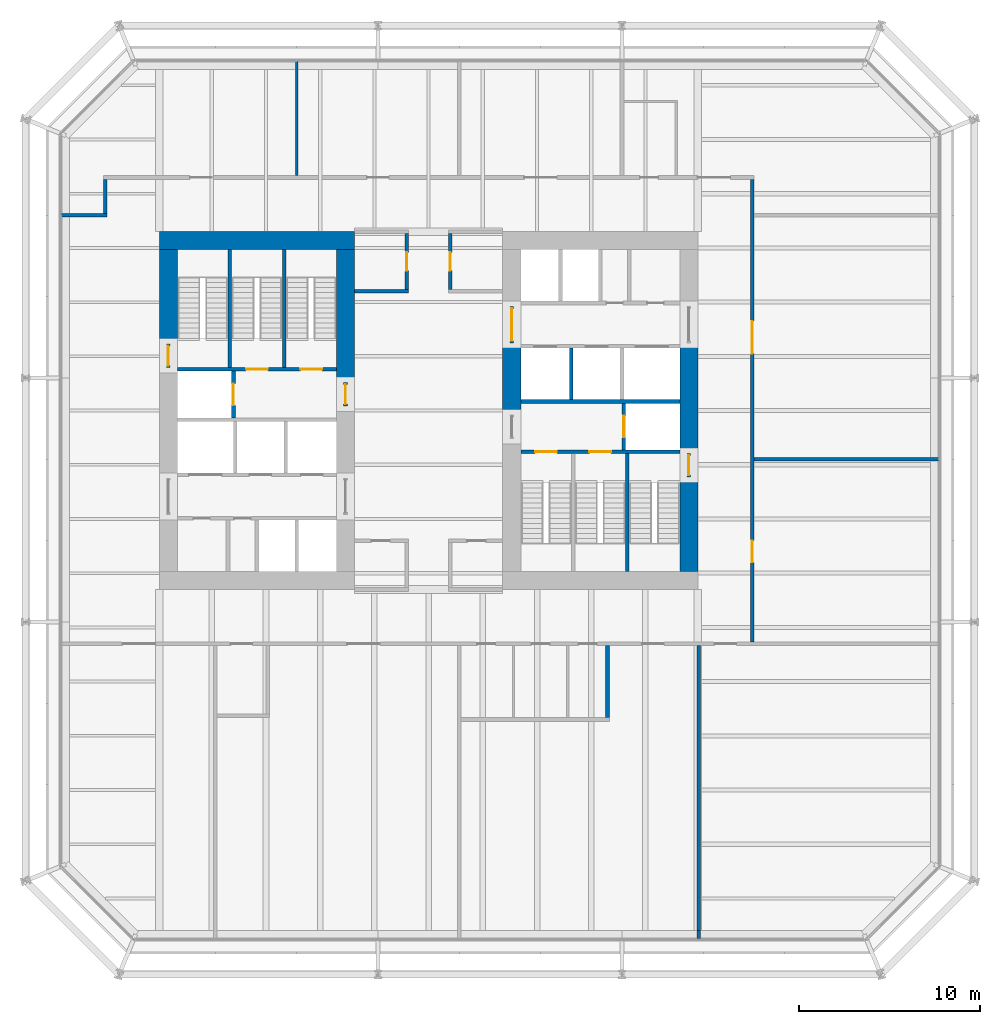
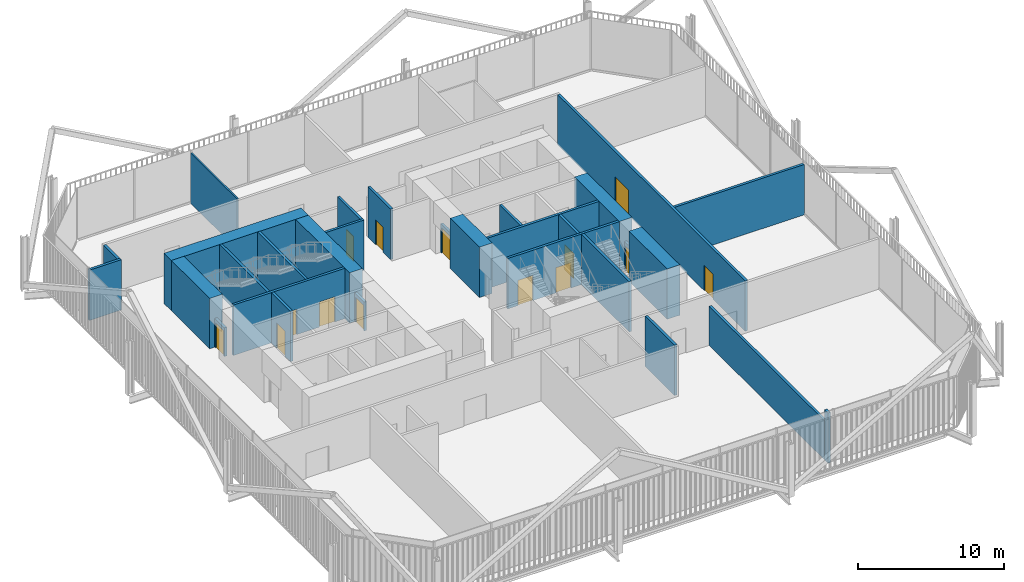
# One storey, part 18 of 21: 30 walls, 14 doors, 14 openings.
"""IFC4 building model written with IfcOpenShell, lengths in metres."""

from ifc_helpers import new_model, si_unit, direction, frame, frame_2d, origin, place, context, subcontext, project, spatial, rectangle, extrude, material, layer, layer_set, type_object, element, fill, save


model = new_model("IFC4")

# Units and contexts
model_context = context("Model", 3, precision=1e-05, world=origin(), true_north=direction((0.0, 1.0)))
body_context = subcontext(model_context, "Body", "Model", "MODEL_VIEW")
ifc_project = project(units=[si_unit("LENGTHUNIT", "METRE"), si_unit("AREAUNIT", "SQUARE_METRE"), si_unit("VOLUMEUNIT", "CUBIC_METRE"), si_unit("PLANEANGLEUNIT", "RADIAN"), si_unit("MASSUNIT", "GRAM", prefix="KILO")], contexts=[model_context])

# Site, building, storey
site_placement = place(None, origin())
site = spatial("IfcSite", under=ifc_project, at=site_placement, CompositionType="ELEMENT")
building_placement = place(site_placement, origin())
building = spatial("IfcBuilding", under=site, at=building_placement, Name="Millrace Tower", CompositionType="ELEMENT")
storey_placement = place(building_placement, frame((0.0, 0.0, 82.0)))
storey = spatial("IfcBuildingStorey", under=building, at=storey_placement, Name="L18", CompositionType="ELEMENT", Elevation=82.0)

# Walls
ifc_material_1 = material(Name="Concrete C80", Category="concrete")
ifc_layer_1 = layer(ifc_material_1, 1.0)
ifc_layer_set_1 = layer_set([ifc_layer_1], Name="Concrete C80")
wall_type_1 = type_object("IfcWallType", Name="Core wall 1000 Concrete C80", PredefinedType="SHEAR", material=ifc_layer_set_1)
wall_1_placement = place(storey_placement, frame((-14.89990234375, 9.39990234375, 0.0), z_axis=(0.0, 0.0, 1.0), x_axis=(1.0, 0.0, 0.0)))
element("IfcWall", 1, at=wall_1_placement, inside=storey, type_object=wall_type_1, Name="Core wall W L18", PredefinedType="SHEAR", context=body_context, shape_type="SweptSolid", body=[
    extrude(rectangle(XDim=10.7998046875, YDim=1.0, at=frame_2d((5.39990234375, 0.0))), origin(), (0.0, 0.0, 1.0), 4.199951171875),
])
wall_2_placement = place(storey_placement, frame((-14.39990234375, 3.679931640625, 0.0), z_axis=(0.0, 0.0, 1.0), x_axis=(0.0, 1.0, 0.0)))
element("IfcWall", 2, at=wall_2_placement, inside=storey, type_object=wall_type_1, Name="Core wall W L18", PredefinedType="SHEAR", context=body_context, shape_type="SweptSolid", body=[
    extrude(rectangle(XDim=5.219970703125, YDim=1.0, at=frame_2d((2.60986328125, 0.0))), origin(), (0.0, 0.0, 1.0), 4.199951171875),
])
wall_3_placement = place(storey_placement, frame((-4.60009765625, 1.550048828125, 0.0), z_axis=(0.0, 0.0, 1.0), x_axis=(0.0, 1.0, 0.0)))
element("IfcWall", 3, at=wall_3_placement, inside=storey, type_object=wall_type_1, Name="Core wall W L18", PredefinedType="SHEAR", context=body_context, shape_type="SweptSolid", body=[
    extrude(rectangle(XDim=7.349853515625, YDim=1.0, at=frame_2d((3.6748046875, 0.0))), origin(), (0.0, 0.0, 1.0), 4.199951171875),
])
wall_4_placement = place(storey_placement, frame((14.39990234375, 3.75, 0.0), z_axis=(0.0, 0.0, 1.0), x_axis=(0.0, -1.0, 0.0)))
element("IfcWall", 4, at=wall_4_placement, inside=storey, type_object=wall_type_1, Name="Core wall E L18", PredefinedType="SHEAR", context=body_context, shape_type="SweptSolid", body=[
    extrude(rectangle(XDim=6.1298828125, YDim=1.0, at=frame_2d((3.06494140625, 0.0))), origin(), (0.0, 0.0, 1.0), 4.199951171875),
])
wall_5_placement = place(storey_placement, frame((14.39990234375, -3.679931640625, 0.0), z_axis=(0.0, 0.0, 1.0), x_axis=(0.0, -1.0, 0.0)))
element("IfcWall", 5, at=wall_5_placement, inside=storey, type_object=wall_type_1, Name="Core wall E L18", PredefinedType="SHEAR", context=body_context, shape_type="SweptSolid", body=[
    extrude(rectangle(XDim=5.219970703125, YDim=1.0, at=frame_2d((2.60986328125, 0.0))), origin(), (0.0, 0.0, 1.0), 4.199951171875),
])
wall_6_placement = place(storey_placement, frame((4.60009765625, 3.75, 0.0), z_axis=(0.0, 0.0, 1.0), x_axis=(0.0, -1.0, 0.0)))
element("IfcWall", 6, at=wall_6_placement, inside=storey, type_object=wall_type_1, Name="Core wall E L18", PredefinedType="SHEAR", context=body_context, shape_type="SweptSolid", body=[
    extrude(rectangle(XDim=4.0, YDim=1.0, at=frame_2d((2.0, 0.0))), origin(), (0.0, 0.0, 1.0), 4.199951171875),
])
ifc_material_2 = material(Name="Masonry partition, fire-rated", Category="masonry")
ifc_layer_2 = layer(ifc_material_2, 0.199951171875)
ifc_layer_set_2 = layer_set([ifc_layer_2], Name="Masonry partition, fire-rated")
wall_type_2 = type_object("IfcWallType", Name="Corridor wall 200", PredefinedType="PARTITIONING", material=ifc_layer_set_2)
wall_7_placement = place(storey_placement, frame((18.0, -2.699951171875, 0.0), z_axis=(0.0, 0.0, 1.0), x_axis=(1.0, 0.0, 0.0)))
element("IfcWall", 7, at=wall_7_placement, inside=storey, type_object=wall_type_2, Name="Corridor wall L18", PredefinedType="PARTITIONING", context=body_context, shape_type="SweptSolid", body=[
    extrude(rectangle(XDim=10.22998046875, YDim=0.199951171875, at=frame_2d((5.114990234375, 0.0))), origin(), (0.0, 0.0, 1.0), 4.199951171875),
])
wall_8_placement = place(storey_placement, frame((-4.10009765625, 6.60009765625, 0.0), z_axis=(0.0, 0.0, 1.0), x_axis=(1.0, 0.0, 0.0)))
element("IfcWall", 8, at=wall_8_placement, inside=storey, type_object=wall_type_2, Name="Corridor wall L18", PredefinedType="PARTITIONING", context=body_context, shape_type="SweptSolid", body=[
    extrude(rectangle(XDim=3.0, YDim=0.199951171875, at=frame_2d((1.5, 0.0))), origin(), (0.0, 0.0, 1.0), 4.199951171875),
])
wall_9_placement = place(storey_placement, frame((-20.330078125, 10.800048828125, 0.0), z_axis=(0.0, 0.0, 1.0), x_axis=(1.0, 0.0, 0.0)))
element("IfcWall", 9, at=wall_9_placement, inside=storey, type_object=wall_type_2, Name="Corridor wall L18", PredefinedType="PARTITIONING", context=body_context, shape_type="SweptSolid", body=[
    extrude(rectangle(XDim=2.530029296875, YDim=0.199951171875, at=frame_2d((1.26513671875, 0.0))), origin(), (0.0, 0.0, 1.0), 4.199951171875),
])

# Wall, openings, doors
wall_10_placement = place(storey_placement, frame((17.89990234375, -12.800048828125, 0.0), z_axis=(0.0, 0.0, 1.0), x_axis=(0.0, 1.0, 0.0)))
wall_10 = element("IfcWall", 10, at=wall_10_placement, inside=storey, type_object=wall_type_2, Name="Corridor wall L18", PredefinedType="PARTITIONING", context=body_context, shape_type="SweptSolid", body=[
    extrude(rectangle(XDim=25.60009765625, YDim=0.199951171875, at=frame_2d((12.800048828125, 0.0))), origin(), (0.0, 0.0, 1.0), 4.199951171875),
])
opening_1_placement = place(wall_10_placement, frame((4.39990234375, 0.0, 0.0)))
opening_1 = element("IfcOpeningElement", 11, at=opening_1_placement, cuts=wall_10, Name="Opening 18-P015", PredefinedType="OPENING", context=body_context, shape_type="SweptSolid", body=[
    extrude(rectangle(XDim=1.199951171875, YDim=2.10009765625, at=frame_2d((0.60009765625, 1.050048828125))), frame((0.0, 0.10986328125, 0.0), z_axis=(0.0, -1.0, 0.0), x_axis=(1.0, 0.0, 0.0)), (0.0, 0.0, 1.0), 0.219970703125),
])
opening_2_placement = place(wall_10_placement, frame((15.949951171875, 0.0, 0.0)))
opening_2 = element("IfcOpeningElement", 12, at=opening_2_placement, cuts=wall_10, Name="Opening 18-P016", PredefinedType="OPENING", context=body_context, shape_type="SweptSolid", body=[
    extrude(rectangle(XDim=1.800048828125, YDim=2.10009765625, at=frame_2d((0.89990234375, 1.050048828125))), frame((0.0, 0.10986328125, 0.0), z_axis=(0.0, -1.0, 0.0), x_axis=(1.0, 0.0, 0.0)), (0.0, 0.0, 1.0), 0.219970703125),
])
ifc_material_3 = material(Name="Steel door set, fire-rated", Category="steel")
door_type_1 = type_object("IfcDoorType", Name="Data hall door 1200 x 2100", OperationType="SINGLE_SWING_LEFT", PredefinedType="DOOR", material=ifc_material_3)
door_1_placement = place(opening_1_placement, frame((1.199951171875, 0.0, 0.0), z_axis=(0.0, 0.0, 1.0), x_axis=(-1.0, 0.0, 0.0)))
door_1 = element("IfcDoor", 13, at=door_1_placement, inside=storey, type_object=door_type_1, Name="Door 18-P015", OperationType="SINGLE_SWING_RIGHT", OverallHeight=2.10009765625, OverallWidth=1.199951171875, PredefinedType="DOOR", context=body_context, shape_type="SweptSolid", body=[
    extrude(rectangle(XDim=1.199951171875, YDim=2.10009765625, at=frame_2d((0.60009765625, 1.050048828125))), frame((0.0, 0.02490234375, 0.0), z_axis=(0.0, -1.0, 0.0), x_axis=(1.0, 0.0, 0.0)), (0.0, 0.0, 1.0), 0.050048828125),
])
fill(opening_1, door_1)
ifc_material_4 = material(Name="Steel door set, fire-rated", Category="steel")
door_type_2 = type_object("IfcDoorType", Name="Data hall door 1800 x 2100", OperationType="DOUBLE_DOOR_SINGLE_SWING", PredefinedType="DOOR", material=ifc_material_4)
door_2_placement = place(opening_2_placement, frame((1.800048828125, 0.0, 0.0), z_axis=(0.0, 0.0, 1.0), x_axis=(-1.0, 0.0, 0.0)))
door_2 = element("IfcDoor", 14, at=door_2_placement, inside=storey, type_object=door_type_2, Name="Door 18-P016", OperationType="DOUBLE_DOOR_SINGLE_SWING", OverallHeight=2.10009765625, OverallWidth=1.800048828125, PredefinedType="DOOR", context=body_context, shape_type="SweptSolid", body=[
    extrude(rectangle(XDim=1.800048828125, YDim=2.10009765625, at=frame_2d((0.89990234375, 1.050048828125))), frame((0.0, 0.02490234375, 0.0), z_axis=(0.0, -1.0, 0.0), x_axis=(1.0, 0.0, 0.0)), (0.0, 0.0, 1.0), 0.050048828125),
])
fill(opening_2, door_2)

# Walls
wall_11_placement = place(storey_placement, frame((14.93994140625, -29.22998046875, 0.0), z_axis=(0.0, 0.0, 1.0), x_axis=(0.0, 1.0, 0.0)))
element("IfcWall", 15, at=wall_11_placement, inside=storey, type_object=wall_type_2, Name="Corridor wall L18", PredefinedType="PARTITIONING", context=body_context, shape_type="SweptSolid", body=[
    extrude(rectangle(XDim=0.448974609375, YDim=0.199951171875, at=frame_2d((0.224609375, 0.0))), origin(), (0.0, 0.0, 1.0), 4.199951171875),
])
wall_12_placement = place(storey_placement, frame((14.93994140625, -28.781005859375, 0.0), z_axis=(0.0, 0.0, 1.0), x_axis=(0.0, 1.0, 0.0)))
element("IfcWall", 16, at=wall_12_placement, inside=storey, type_object=wall_type_2, Name="Corridor wall L18", PredefinedType="PARTITIONING", context=body_context, shape_type="SweptSolid", body=[
    extrude(rectangle(XDim=15.781005859375, YDim=0.199951171875, at=frame_2d((7.890625, 0.0))), origin(), (0.0, 0.0, 1.0), 3.252685546875),
])
wall_13_placement = place(storey_placement, frame((9.89990234375, -17.0, 0.0), z_axis=(0.0, 0.0, 1.0), x_axis=(0.0, 1.0, 0.0)))
element("IfcWall", 17, at=wall_13_placement, inside=storey, type_object=wall_type_2, Name="Corridor wall L18", PredefinedType="PARTITIONING", context=body_context, shape_type="SweptSolid", body=[
    extrude(rectangle(XDim=4.0, YDim=0.199951171875, at=frame_2d((2.0, 0.0))), origin(), (0.0, 0.0, 1.0), 4.199951171875),
])

# Wall, opening, door
wall_14_placement = place(storey_placement, frame((1.199951171875, 6.699951171875, 0.0), z_axis=(0.0, 0.0, 1.0), x_axis=(0.0, 1.0, 0.0)))
wall_14 = element("IfcWall", 18, at=wall_14_placement, inside=storey, type_object=wall_type_2, Name="Corridor wall L18", PredefinedType="PARTITIONING", context=body_context, shape_type="SweptSolid", body=[
    extrude(rectangle(XDim=3.10009765625, YDim=0.199951171875, at=frame_2d((1.550048828125, 0.0))), origin(), (0.0, 0.0, 1.0), 4.199951171875),
])
opening_3_placement = place(wall_14_placement, frame((1.050048828125, 0.0, 0.0)))
opening_3 = element("IfcOpeningElement", 19, at=opening_3_placement, cuts=wall_14, Name="Opening 18-P002", PredefinedType="OPENING", context=body_context, shape_type="SweptSolid", body=[
    extrude(rectangle(XDim=1.0, YDim=2.10009765625, at=frame_2d((0.5, 1.050048828125))), frame((0.0, 0.10986328125, 0.0), z_axis=(0.0, -1.0, 0.0), x_axis=(1.0, 0.0, 0.0)), (0.0, 0.0, 1.0), 0.219970703125),
])
ifc_material_5 = material(Name="Steel door set, fire-rated", Category="steel")
door_type_3 = type_object("IfcDoorType", Name="Corridor door 1000 x 2100", OperationType="SINGLE_SWING_LEFT", PredefinedType="DOOR", material=ifc_material_5)
door_3_placement = place(opening_3_placement, frame((1.0, 0.0, 0.0), z_axis=(0.0, 0.0, 1.0), x_axis=(-1.0, 0.0, 0.0)))
door_3 = element("IfcDoor", 20, at=door_3_placement, inside=storey, type_object=door_type_3, Name="Door 18-P002", OperationType="SINGLE_SWING_LEFT", OverallHeight=2.10009765625, OverallWidth=1.0, PredefinedType="DOOR", context=body_context, shape_type="SweptSolid", body=[
    extrude(rectangle(XDim=1.0, YDim=2.10009765625, at=frame_2d((0.5, 1.050048828125))), frame((0.0, 0.02490234375, 0.0), z_axis=(0.0, -1.0, 0.0), x_axis=(1.0, 0.0, 0.0)), (0.0, 0.0, 1.0), 0.050048828125),
])
fill(opening_3, door_3)

wall_15_placement = place(storey_placement, frame((-1.199951171875, 6.699951171875, 0.0), z_axis=(0.0, 0.0, 1.0), x_axis=(0.0, 1.0, 0.0)))
wall_15 = element("IfcWall", 21, at=wall_15_placement, inside=storey, type_object=wall_type_2, Name="Corridor wall L18", PredefinedType="PARTITIONING", context=body_context, shape_type="SweptSolid", body=[
    extrude(rectangle(XDim=3.10009765625, YDim=0.199951171875, at=frame_2d((1.550048828125, 0.0))), origin(), (0.0, 0.0, 1.0), 4.199951171875),
])
opening_4_placement = place(wall_15_placement, frame((1.050048828125, 0.0, 0.0)))
opening_4 = element("IfcOpeningElement", 22, at=opening_4_placement, cuts=wall_15, Name="Opening 18-P001", PredefinedType="OPENING", context=body_context, shape_type="SweptSolid", body=[
    extrude(rectangle(XDim=1.0, YDim=2.10009765625, at=frame_2d((0.5, 1.050048828125))), frame((0.0, 0.10986328125, 0.0), z_axis=(0.0, -1.0, 0.0), x_axis=(1.0, 0.0, 0.0)), (0.0, 0.0, 1.0), 0.219970703125),
])
door_4_placement = place(opening_4_placement, origin())
door_4 = element("IfcDoor", 23, at=door_4_placement, inside=storey, type_object=door_type_3, Name="Door 18-P001", OperationType="SINGLE_SWING_RIGHT", OverallHeight=2.10009765625, OverallWidth=1.0, PredefinedType="DOOR", context=body_context, shape_type="SweptSolid", body=[
    extrude(rectangle(XDim=1.0, YDim=2.10009765625, at=frame_2d((0.5, 1.050048828125))), frame((0.0, 0.02490234375, 0.0), z_axis=(0.0, -1.0, 0.0), x_axis=(1.0, 0.0, 0.0)), (0.0, 0.0, 1.0), 0.050048828125),
])
fill(opening_4, door_4)

# Wall
wall_16_placement = place(storey_placement, frame((-17.89990234375, 10.89990234375, 0.0), z_axis=(0.0, 0.0, 1.0), x_axis=(0.0, 1.0, 0.0)))
element("IfcWall", 24, at=wall_16_placement, inside=storey, type_object=wall_type_2, Name="Corridor wall L18", PredefinedType="PARTITIONING", context=body_context, shape_type="SweptSolid", body=[
    extrude(rectangle(XDim=1.900146484375, YDim=0.199951171875, at=frame_2d((0.9501953125, 0.0))), origin(), (0.0, 0.0, 1.0), 4.199951171875),
])

# Wall, opening, door
ifc_material_6 = material(Name="Masonry partition, fire-rated", Category="masonry")
ifc_layer_3 = layer(ifc_material_6, 0.199951171875)
ifc_layer_set_3 = layer_set([ifc_layer_3], Name="Masonry partition, fire-rated")
wall_type_3 = type_object("IfcWallType", Name="Lift shaft wall 200", PredefinedType="PARTITIONING", material=ifc_layer_set_3)
wall_17_placement = place(storey_placement, frame((-10.800048828125, -0.39990234375, 0.0), z_axis=(0.0, 0.0, 1.0), x_axis=(0.0, 1.0, 0.0)))
wall_17 = element("IfcWall", 25, at=wall_17_placement, inside=storey, type_object=wall_type_3, Name="Lift shaft wall W L18", PredefinedType="PARTITIONING", context=body_context, shape_type="SweptSolid", body=[
    extrude(rectangle(XDim=2.579833984375, YDim=0.199951171875, at=frame_2d((1.2900390625, 0.0))), origin(), (0.0, 0.0, 1.0), 4.199951171875),
])
opening_5_placement = place(wall_17_placement, frame((0.68994140625, 0.0, 0.0)))
opening_5 = element("IfcOpeningElement", 26, at=opening_5_placement, cuts=wall_17, Name="Opening 18-LD08", PredefinedType="OPENING", context=body_context, shape_type="SweptSolid", body=[
    extrude(rectangle(XDim=1.199951171875, YDim=2.10009765625, at=frame_2d((0.60009765625, 1.050048828125))), frame((0.0, 0.10986328125, 0.0), z_axis=(0.0, -1.0, 0.0), x_axis=(1.0, 0.0, 0.0)), (0.0, 0.0, 1.0), 0.219970703125),
])
ifc_material_7 = material(Name="Stainless steel, fire-rated", Category="steel")
door_type_4 = type_object("IfcDoorType", Name="Lift landing door 1200 x 2100", OperationType="DOUBLE_DOOR_SLIDING", PredefinedType="DOOR", material=ifc_material_7)
door_5_placement = place(opening_5_placement, origin())
door_5 = element("IfcDoor", 27, at=door_5_placement, inside=storey, type_object=door_type_4, Name="Lift landing door LF8 L18", OperationType="DOUBLE_DOOR_SLIDING", OverallHeight=2.10009765625, OverallWidth=1.199951171875, PredefinedType="DOOR", context=body_context, shape_type="SweptSolid", body=[
    extrude(rectangle(XDim=1.199951171875, YDim=2.10009765625, at=frame_2d((0.60009765625, 1.050048828125))), frame((0.0, 0.02490234375, 0.0), z_axis=(0.0, -1.0, 0.0), x_axis=(1.0, 0.0, 0.0)), (0.0, 0.0, 1.0), 0.050048828125),
])
fill(opening_5, door_5)

# Wall
wall_18_placement = place(storey_placement, frame((13.89990234375, 0.5, 0.0), z_axis=(0.0, 0.0, 1.0), x_axis=(-1.0, 0.0, 0.0)))
element("IfcWall", 28, at=wall_18_placement, inside=storey, type_object=wall_type_3, Name="Lift shaft wall E L18", PredefinedType="PARTITIONING", context=body_context, shape_type="SweptSolid", body=[
    extrude(rectangle(XDim=8.7998046875, YDim=0.199951171875, at=frame_2d((4.39990234375, 0.0))), origin(), (0.0, 0.0, 1.0), 4.199951171875),
])

# Wall, opening, door
wall_19_placement = place(storey_placement, frame((10.800048828125, 0.39990234375, 0.0), z_axis=(0.0, 0.0, 1.0), x_axis=(0.0, -1.0, 0.0)))
wall_19 = element("IfcWall", 29, at=wall_19_placement, inside=storey, type_object=wall_type_3, Name="Lift shaft wall E L18", PredefinedType="PARTITIONING", context=body_context, shape_type="SweptSolid", body=[
    extrude(rectangle(XDim=2.579833984375, YDim=0.199951171875, at=frame_2d((1.2900390625, 0.0))), origin(), (0.0, 0.0, 1.0), 4.199951171875),
])
opening_6_placement = place(wall_19_placement, frame((0.68994140625, 0.0, 0.0)))
opening_6 = element("IfcOpeningElement", 30, at=opening_6_placement, cuts=wall_19, Name="Opening 18-LD16", PredefinedType="OPENING", context=body_context, shape_type="SweptSolid", body=[
    extrude(rectangle(XDim=1.199951171875, YDim=2.10009765625, at=frame_2d((0.60009765625, 1.050048828125))), frame((0.0, 0.10986328125, 0.0), z_axis=(0.0, -1.0, 0.0), x_axis=(1.0, 0.0, 0.0)), (0.0, 0.0, 1.0), 0.219970703125),
])
door_6_placement = place(opening_6_placement, origin())
door_6 = element("IfcDoor", 31, at=door_6_placement, inside=storey, type_object=door_type_4, Name="Lift landing door LF16 L18", OperationType="DOUBLE_DOOR_SLIDING", OverallHeight=2.10009765625, OverallWidth=1.199951171875, PredefinedType="DOOR", context=body_context, shape_type="SweptSolid", body=[
    extrude(rectangle(XDim=1.199951171875, YDim=2.10009765625, at=frame_2d((0.60009765625, 1.050048828125))), frame((0.0, 0.02490234375, 0.0), z_axis=(0.0, -1.0, 0.0), x_axis=(1.0, 0.0, 0.0)), (0.0, 0.0, 1.0), 0.050048828125),
])
fill(opening_6, door_6)

# Wall
wall_20_placement = place(storey_placement, frame((7.89990234375, 3.449951171875, 0.0), z_axis=(0.0, 0.0, 1.0), x_axis=(0.0, -1.0, 0.0)))
element("IfcWall", 32, at=wall_20_placement, inside=storey, type_object=wall_type_3, Name="Lift shaft wall E L18", PredefinedType="PARTITIONING", context=body_context, shape_type="SweptSolid", body=[
    extrude(rectangle(XDim=2.849853515625, YDim=0.199951171875, at=frame_2d((1.4248046875, 0.0))), origin(), (0.0, 0.0, 1.0), 4.199951171875),
])

# Wall, opening, door
ifc_material_8 = material(Name="Masonry partition, fire-rated", Category="masonry")
ifc_layer_4 = layer(ifc_material_8, 0.199951171875)
ifc_layer_set_4 = layer_set([ifc_layer_4], Name="Masonry partition, fire-rated")
wall_type_4 = type_object("IfcWallType", Name="Lobby wall 200", PredefinedType="PARTITIONING", material=ifc_layer_set_4)
wall_21_placement = place(storey_placement, frame((-4.60009765625, 0.25, 0.0), z_axis=(0.0, 0.0, 1.0), x_axis=(0.0, 1.0, 0.0)))
wall_21 = element("IfcWall", 33, at=wall_21_placement, inside=storey, type_object=wall_type_4, Name="Lobby wall W L18", PredefinedType="PARTITIONING", context=body_context, shape_type="SweptSolid", body=[
    extrude(rectangle(XDim=1.300048828125, YDim=0.199951171875, at=frame_2d((0.64990234375, 0.0))), origin(), (0.0, 0.0, 1.0), 2.39990234375),
])
opening_7_placement = place(wall_21_placement, frame((0.10009765625, 0.0, 0.0)))
opening_7 = element("IfcOpeningElement", 34, at=opening_7_placement, cuts=wall_21, Name="Opening 18-C004", PredefinedType="OPENING", context=body_context, shape_type="SweptSolid", body=[
    extrude(rectangle(XDim=1.10009765625, YDim=2.10009765625, at=frame_2d((0.550048828125, 1.050048828125))), frame((0.0, 0.10986328125, 0.0), z_axis=(0.0, -1.0, 0.0), x_axis=(1.0, 0.0, 0.0)), (0.0, 0.0, 1.0), 0.219970703125),
])
ifc_material_9 = material(Name="Steel door, fire-rated", Category="steel")
door_type_5 = type_object("IfcDoorType", Name="Lobby door 1100 x 2100", OperationType="SINGLE_SWING_LEFT", PredefinedType="DOOR", material=ifc_material_9)
door_7_placement = place(opening_7_placement, origin())
door_7 = element("IfcDoor", 35, at=door_7_placement, inside=storey, type_object=door_type_5, Name="Lobby door 18-C004", OperationType="SINGLE_SWING_RIGHT", OverallHeight=2.10009765625, OverallWidth=1.10009765625, PredefinedType="DOOR", context=body_context, shape_type="SweptSolid", body=[
    extrude(rectangle(XDim=1.10009765625, YDim=2.10009765625, at=frame_2d((0.550048828125, 1.050048828125))), frame((0.0, 0.02490234375, 0.0), z_axis=(0.0, -1.0, 0.0), x_axis=(1.0, 0.0, 0.0)), (0.0, 0.0, 1.0), 0.050048828125),
])
fill(opening_7, door_7)

wall_22_placement = place(storey_placement, frame((4.60009765625, 5.75, 0.0), z_axis=(0.0, 0.0, 1.0), x_axis=(0.0, -1.0, 0.0)))
wall_22 = element("IfcWall", 36, at=wall_22_placement, inside=storey, type_object=wall_type_4, Name="Lobby wall E L18", PredefinedType="PARTITIONING", context=body_context, shape_type="SweptSolid", body=[
    extrude(rectangle(XDim=2.0, YDim=0.199951171875, at=frame_2d((1.0, 0.0))), origin(), (0.0, 0.0, 1.0), 2.39990234375),
])
opening_8_placement = place(wall_22_placement, frame((0.10009765625, 0.0, 0.0)))
opening_8 = element("IfcOpeningElement", 37, at=opening_8_placement, cuts=wall_22, Name="Opening 18-C011", PredefinedType="OPENING", context=body_context, shape_type="SweptSolid", body=[
    extrude(rectangle(XDim=1.800048828125, YDim=2.10009765625, at=frame_2d((0.89990234375, 1.050048828125))), frame((0.0, 0.10986328125, 0.0), z_axis=(0.0, -1.0, 0.0), x_axis=(1.0, 0.0, 0.0)), (0.0, 0.0, 1.0), 0.219970703125),
])
ifc_material_10 = material(Name="Steel door, fire-rated", Category="steel")
door_type_6 = type_object("IfcDoorType", Name="Lobby door 1800 x 2100", OperationType="DOUBLE_DOOR_SINGLE_SWING", PredefinedType="DOOR", material=ifc_material_10)
door_8_placement = place(opening_8_placement, origin())
door_8 = element("IfcDoor", 38, at=door_8_placement, inside=storey, type_object=door_type_6, Name="Lobby door 18-C011", OperationType="DOUBLE_DOOR_SINGLE_SWING", OverallHeight=2.10009765625, OverallWidth=1.800048828125, PredefinedType="DOOR", context=body_context, shape_type="SweptSolid", body=[
    extrude(rectangle(XDim=1.800048828125, YDim=2.10009765625, at=frame_2d((0.89990234375, 1.050048828125))), frame((0.0, 0.02490234375, 0.0), z_axis=(0.0, -1.0, 0.0), x_axis=(1.0, 0.0, 0.0)), (0.0, 0.0, 1.0), 0.050048828125),
])
fill(opening_8, door_8)

# Wall
ifc_material_11 = material(Name="Gypsum board partition")
ifc_layer_5 = layer(ifc_material_11, 0.1201171875)
ifc_layer_set_5 = layer_set([ifc_layer_5], Name="Gypsum board partition")
wall_type_5 = type_object("IfcWallType", Name="Partition wall 120", PredefinedType="PARTITIONING", material=ifc_layer_set_5)
wall_23_placement = place(storey_placement, frame((-7.300048828125, 13.0, 0.0), z_axis=(0.0, 0.0, 1.0), x_axis=(0.0, 1.0, 0.0)))
element("IfcWall", 39, at=wall_23_placement, inside=storey, type_object=wall_type_5, Name="Partition wall L18", PredefinedType="PARTITIONING", context=body_context, shape_type="SweptSolid", body=[
    extrude(rectangle(XDim=6.330078125, YDim=0.1201171875, at=frame_2d((3.1650390625, 0.0))), origin(), (0.0, 0.0, 1.0), 4.199951171875),
])

# Wall, opening, door
ifc_material_12 = material(Name="Concrete C40", Category="concrete")
ifc_layer_6 = layer(ifc_material_12, 0.199951171875)
ifc_layer_set_6 = layer_set([ifc_layer_6], Name="Concrete C40")
wall_type_6 = type_object("IfcWallType", Name="Stair enclosure wall 200 Concrete C40", PredefinedType="SHEAR", material=ifc_layer_set_6)
wall_24_placement = place(storey_placement, frame((-14.39990234375, 2.3798828125, 0.0), z_axis=(0.0, 0.0, 1.0), x_axis=(0.0, 1.0, 0.0)))
wall_24 = element("IfcWall", 40, at=wall_24_placement, inside=storey, type_object=wall_type_6, Name="Stair enclosure wall W L18", PredefinedType="SHEAR", context=body_context, shape_type="SweptSolid", body=[
    extrude(rectangle(XDim=1.300048828125, YDim=0.199951171875, at=frame_2d((0.64990234375, 0.0))), origin(), (0.0, 0.0, 1.0), 2.39990234375),
])
opening_9_placement = place(wall_24_placement, frame((0.10009765625, 0.0, 0.0)))
opening_9 = element("IfcOpeningElement", 41, at=opening_9_placement, cuts=wall_24, Name="Opening 18-C002", PredefinedType="OPENING", context=body_context, shape_type="SweptSolid", body=[
    extrude(rectangle(XDim=1.10009765625, YDim=2.10009765625, at=frame_2d((0.550048828125, 1.050048828125))), frame((0.0, 0.10986328125, 0.0), z_axis=(0.0, -1.0, 0.0), x_axis=(1.0, 0.0, 0.0)), (0.0, 0.0, 1.0), 0.219970703125),
])
ifc_material_13 = material(Name="Steel door, fire-rated", Category="steel")
door_type_7 = type_object("IfcDoorType", Name="Stair door 1100 x 2100", OperationType="SINGLE_SWING_LEFT", PredefinedType="DOOR", material=ifc_material_13)
door_9_placement = place(opening_9_placement, origin())
door_9 = element("IfcDoor", 42, at=door_9_placement, inside=storey, type_object=door_type_7, Name="Stair door 18-C002", OperationType="SINGLE_SWING_RIGHT", OverallHeight=2.10009765625, OverallWidth=1.10009765625, PredefinedType="DOOR", context=body_context, shape_type="SweptSolid", body=[
    extrude(rectangle(XDim=1.10009765625, YDim=2.10009765625, at=frame_2d((0.550048828125, 1.050048828125))), frame((0.0, 0.02490234375, 0.0), z_axis=(0.0, -1.0, 0.0), x_axis=(1.0, 0.0, 0.0)), (0.0, 0.0, 1.0), 0.050048828125),
])
fill(opening_9, door_9)

# Wall, openings, doors
wall_25_placement = place(storey_placement, frame((-13.89990234375, 2.280029296875, 0.0), z_axis=(0.0, 0.0, 1.0), x_axis=(1.0, 0.0, 0.0)))
wall_25 = element("IfcWall", 43, at=wall_25_placement, inside=storey, type_object=wall_type_6, Name="Stair enclosure wall W L18", PredefinedType="SHEAR", context=body_context, shape_type="SweptSolid", body=[
    extrude(rectangle(XDim=8.7998046875, YDim=0.199951171875, at=frame_2d((4.39990234375, 0.0))), origin(), (0.0, 0.0, 1.0), 4.199951171875),
])
opening_10_placement = place(wall_25_placement, frame((3.800048828125, 0.0, 0.0)))
opening_10 = element("IfcOpeningElement", 44, at=opening_10_placement, cuts=wall_25, Name="Opening 18-C007", PredefinedType="OPENING", context=body_context, shape_type="SweptSolid", body=[
    extrude(rectangle(XDim=1.199951171875, YDim=2.10009765625, at=frame_2d((0.60009765625, 1.050048828125))), frame((0.0, 0.10986328125, 0.0), z_axis=(0.0, -1.0, 0.0), x_axis=(1.0, 0.0, 0.0)), (0.0, 0.0, 1.0), 0.219970703125),
])
opening_11_placement = place(wall_25_placement, frame((6.800048828125, 0.0, 0.0)))
opening_11 = element("IfcOpeningElement", 45, at=opening_11_placement, cuts=wall_25, Name="Opening 18-C008", PredefinedType="OPENING", context=body_context, shape_type="SweptSolid", body=[
    extrude(rectangle(XDim=1.199951171875, YDim=2.10009765625, at=frame_2d((0.60009765625, 1.050048828125))), frame((0.0, 0.10986328125, 0.0), z_axis=(0.0, -1.0, 0.0), x_axis=(1.0, 0.0, 0.0)), (0.0, 0.0, 1.0), 0.219970703125),
])
ifc_material_14 = material(Name="Steel door, fire-rated", Category="steel")
door_type_8 = type_object("IfcDoorType", Name="Stair door 1200 x 2100", OperationType="SINGLE_SWING_LEFT", PredefinedType="DOOR", material=ifc_material_14)
door_10_placement = place(opening_10_placement, frame((1.199951171875, 0.0, 0.0), z_axis=(0.0, 0.0, 1.0), x_axis=(-1.0, 0.0, 0.0)))
door_10 = element("IfcDoor", 46, at=door_10_placement, inside=storey, type_object=door_type_8, Name="Stair door 18-C007", OperationType="SINGLE_SWING_LEFT", OverallHeight=2.10009765625, OverallWidth=1.199951171875, PredefinedType="DOOR", context=body_context, shape_type="SweptSolid", body=[
    extrude(rectangle(XDim=1.199951171875, YDim=2.10009765625, at=frame_2d((0.60009765625, 1.050048828125))), frame((0.0, 0.02490234375, 0.0), z_axis=(0.0, -1.0, 0.0), x_axis=(1.0, 0.0, 0.0)), (0.0, 0.0, 1.0), 0.050048828125),
])
fill(opening_10, door_10)
door_11_placement = place(opening_11_placement, frame((1.199951171875, 0.0, 0.0), z_axis=(0.0, 0.0, 1.0), x_axis=(-1.0, 0.0, 0.0)))
door_11 = element("IfcDoor", 47, at=door_11_placement, inside=storey, type_object=door_type_8, Name="Stair door 18-C008", OperationType="SINGLE_SWING_LEFT", OverallHeight=2.10009765625, OverallWidth=1.199951171875, PredefinedType="DOOR", context=body_context, shape_type="SweptSolid", body=[
    extrude(rectangle(XDim=1.199951171875, YDim=2.10009765625, at=frame_2d((0.60009765625, 1.050048828125))), frame((0.0, 0.02490234375, 0.0), z_axis=(0.0, -1.0, 0.0), x_axis=(1.0, 0.0, 0.0)), (0.0, 0.0, 1.0), 0.050048828125),
])
fill(opening_11, door_11)

# Walls
for number, where, z_axis, x_axis, name in (
    (48, (-11.0, 2.3798828125, 0.0), (0.0, 0.0, 1.0), (0.0, 1.0, 0.0), "Stair enclosure wall W L18"),
    (49, (-8.0, 2.3798828125, 0.0), (0.0, 0.0, 1.0), (0.0, 1.0, 0.0), "Stair enclosure wall W L18"),
):
    element("IfcWall", number, at=place(storey_placement, frame(where, z_axis=z_axis, x_axis=x_axis)), inside=storey, type_object=wall_type_6, Name=name, PredefinedType="SHEAR", context=body_context, shape_type="SweptSolid", body=[
        extrude(rectangle(XDim=6.52001953125, YDim=0.199951171875, at=frame_2d((3.260009765625, 0.0))), origin(), (0.0, 0.0, 1.0), 4.199951171875),
    ])

# Wall, opening, door
wall_26_placement = place(storey_placement, frame((14.39990234375, -2.3798828125, 0.0), z_axis=(0.0, 0.0, 1.0), x_axis=(0.0, -1.0, 0.0)))
wall_26 = element("IfcWall", 50, at=wall_26_placement, inside=storey, type_object=wall_type_6, Name="Stair enclosure wall E L18", PredefinedType="SHEAR", context=body_context, shape_type="SweptSolid", body=[
    extrude(rectangle(XDim=1.300048828125, YDim=0.199951171875, at=frame_2d((0.64990234375, 0.0))), origin(), (0.0, 0.0, 1.0), 2.39990234375),
])
opening_12_placement = place(wall_26_placement, frame((0.10009765625, 0.0, 0.0)))
opening_12 = element("IfcOpeningElement", 51, at=opening_12_placement, cuts=wall_26, Name="Opening 18-C010", PredefinedType="OPENING", context=body_context, shape_type="SweptSolid", body=[
    extrude(rectangle(XDim=1.10009765625, YDim=2.10009765625, at=frame_2d((0.550048828125, 1.050048828125))), frame((0.0, 0.10986328125, 0.0), z_axis=(0.0, -1.0, 0.0), x_axis=(1.0, 0.0, 0.0)), (0.0, 0.0, 1.0), 0.219970703125),
])
door_12_placement = place(opening_12_placement, origin())
door_12 = element("IfcDoor", 52, at=door_12_placement, inside=storey, type_object=door_type_7, Name="Stair door 18-C010", OperationType="SINGLE_SWING_RIGHT", OverallHeight=2.10009765625, OverallWidth=1.10009765625, PredefinedType="DOOR", context=body_context, shape_type="SweptSolid", body=[
    extrude(rectangle(XDim=1.10009765625, YDim=2.10009765625, at=frame_2d((0.550048828125, 1.050048828125))), frame((0.0, 0.02490234375, 0.0), z_axis=(0.0, -1.0, 0.0), x_axis=(1.0, 0.0, 0.0)), (0.0, 0.0, 1.0), 0.050048828125),
])
fill(opening_12, door_12)

# Wall, openings, doors
wall_27_placement = place(storey_placement, frame((13.89990234375, -2.280029296875, 0.0), z_axis=(0.0, 0.0, 1.0), x_axis=(-1.0, 0.0, 0.0)))
wall_27 = element("IfcWall", 53, at=wall_27_placement, inside=storey, type_object=wall_type_6, Name="Stair enclosure wall E L18", PredefinedType="SHEAR", context=body_context, shape_type="SweptSolid", body=[
    extrude(rectangle(XDim=8.7998046875, YDim=0.199951171875, at=frame_2d((4.39990234375, 0.0))), origin(), (0.0, 0.0, 1.0), 4.199951171875),
])
opening_13_placement = place(wall_27_placement, frame((3.800048828125, 0.0, 0.0)))
opening_13 = element("IfcOpeningElement", 54, at=opening_13_placement, cuts=wall_27, Name="Opening 18-C015", PredefinedType="OPENING", context=body_context, shape_type="SweptSolid", body=[
    extrude(rectangle(XDim=1.199951171875, YDim=2.10009765625, at=frame_2d((0.60009765625, 1.050048828125))), frame((0.0, 0.10986328125, 0.0), z_axis=(0.0, -1.0, 0.0), x_axis=(1.0, 0.0, 0.0)), (0.0, 0.0, 1.0), 0.219970703125),
])
opening_14_placement = place(wall_27_placement, frame((6.800048828125, 0.0, 0.0)))
opening_14 = element("IfcOpeningElement", 55, at=opening_14_placement, cuts=wall_27, Name="Opening 18-C016", PredefinedType="OPENING", context=body_context, shape_type="SweptSolid", body=[
    extrude(rectangle(XDim=1.199951171875, YDim=2.10009765625, at=frame_2d((0.60009765625, 1.050048828125))), frame((0.0, 0.10986328125, 0.0), z_axis=(0.0, -1.0, 0.0), x_axis=(1.0, 0.0, 0.0)), (0.0, 0.0, 1.0), 0.219970703125),
])
door_13_placement = place(opening_13_placement, frame((1.199951171875, 0.0, 0.0), z_axis=(0.0, 0.0, 1.0), x_axis=(-1.0, 0.0, 0.0)))
door_13 = element("IfcDoor", 56, at=door_13_placement, inside=storey, type_object=door_type_8, Name="Stair door 18-C015", OperationType="SINGLE_SWING_LEFT", OverallHeight=2.10009765625, OverallWidth=1.199951171875, PredefinedType="DOOR", context=body_context, shape_type="SweptSolid", body=[
    extrude(rectangle(XDim=1.199951171875, YDim=2.10009765625, at=frame_2d((0.60009765625, 1.050048828125))), frame((0.0, 0.02490234375, 0.0), z_axis=(0.0, -1.0, 0.0), x_axis=(1.0, 0.0, 0.0)), (0.0, 0.0, 1.0), 0.050048828125),
])
fill(opening_13, door_13)
door_14_placement = place(opening_14_placement, frame((1.199951171875, 0.0, 0.0), z_axis=(0.0, 0.0, 1.0), x_axis=(-1.0, 0.0, 0.0)))
door_14 = element("IfcDoor", 57, at=door_14_placement, inside=storey, type_object=door_type_8, Name="Stair door 18-C016", OperationType="SINGLE_SWING_LEFT", OverallHeight=2.10009765625, OverallWidth=1.199951171875, PredefinedType="DOOR", context=body_context, shape_type="SweptSolid", body=[
    extrude(rectangle(XDim=1.199951171875, YDim=2.10009765625, at=frame_2d((0.60009765625, 1.050048828125))), frame((0.0, 0.02490234375, 0.0), z_axis=(0.0, -1.0, 0.0), x_axis=(1.0, 0.0, 0.0)), (0.0, 0.0, 1.0), 0.050048828125),
])
fill(opening_14, door_14)

# Wall
wall_28_placement = place(storey_placement, frame((11.0, -2.3798828125, 0.0), z_axis=(0.0, 0.0, 1.0), x_axis=(0.0, -1.0, 0.0)))
element("IfcWall", 58, at=wall_28_placement, inside=storey, type_object=wall_type_6, Name="Stair enclosure wall E L18", PredefinedType="SHEAR", context=body_context, shape_type="SweptSolid", body=[
    extrude(rectangle(XDim=6.52001953125, YDim=0.199951171875, at=frame_2d((3.260009765625, 0.0))), origin(), (0.0, 0.0, 1.0), 4.199951171875),
])

save(model, "model.ifc")
